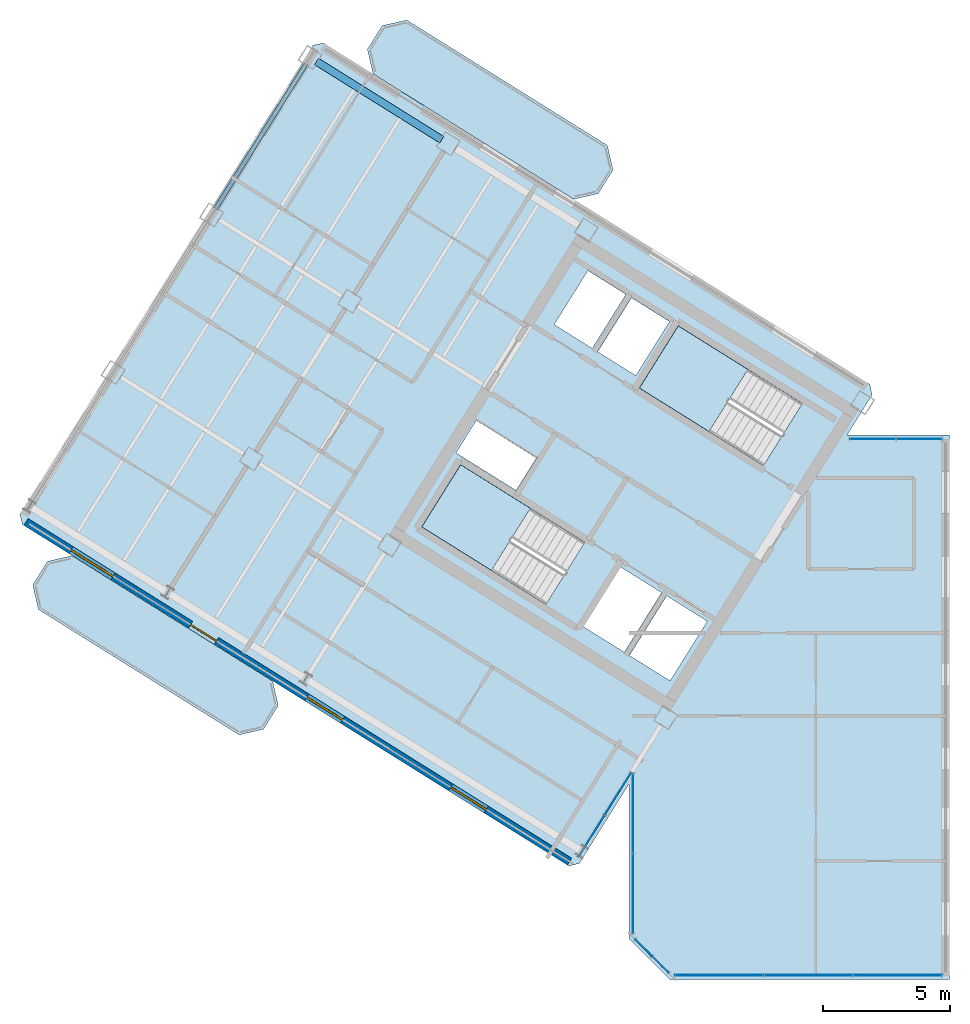
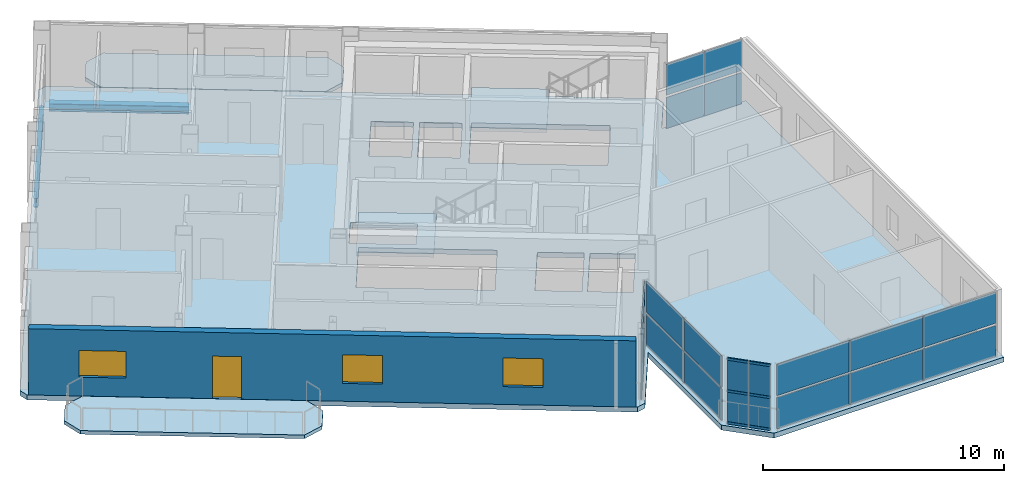
# One storey, part 6 of 13: 22 plates, 6 members, 5 slabs, 3 windows, 2 beams, 1 door, 1 wall, 4 openings, 7 elements without a shape of their own.
"""IFC4 building model written with IfcOpenShell, lengths in metres."""

from ifc_helpers import new_model, si_unit, direction, frame, frame_2d, origin, origin_2d, place, context, subcontext, project, spatial, polyline, rectangle, hollow_rectangle, i_section, outline, extrude, source, transform, mapped, material, layer, layer_set, material_profile, profile_set, type_object, element, fill, aggregate, save


model = new_model("IFC4")

# Units and contexts
model_context = context("Model", 3, precision=1e-05, world=origin(), true_north=direction((0.0, 1.0)))
body_context = subcontext(model_context, "Body", "Model", "MODEL_VIEW")
ifc_project = project(units=[si_unit("LENGTHUNIT", "METRE"), si_unit("AREAUNIT", "SQUARE_METRE"), si_unit("VOLUMEUNIT", "CUBIC_METRE"), si_unit("PLANEANGLEUNIT", "RADIAN"), si_unit("MASSUNIT", "GRAM", prefix="KILO")], contexts=[model_context])

# Site, building, storey
site_placement = place(None, origin())
site = spatial("IfcSite", under=ifc_project, at=site_placement, CompositionType="ELEMENT")
building_placement = place(site_placement, origin())
building = spatial("IfcBuilding", under=site, at=building_placement, Name="Tlacorven Tower", CompositionType="ELEMENT")
storey_placement = place(building_placement, frame((0.0, 0.0, 291.60009765625)))
storey = spatial("IfcBuildingStorey", under=building, at=storey_placement, Name="L74", CompositionType="ELEMENT", Elevation=291.60009765625)

# Beams
ifc_material_1 = material(Name="Steel S355J2", Category="steel")
ifc_material_profile_1 = material_profile(ifc_material_1, i_section(OverallWidth=0.300048828125, OverallDepth=0.389892578125, WebThickness=0.010986328125, FlangeThickness=0.01904296875, at=origin_2d()), Name="HEA 400")
ifc_profile_set_1 = profile_set([ifc_material_profile_1], Name="Steel S355J2")
beam_type_1 = type_object("IfcBeamType", Name="BM-SPN-400", PredefinedType="SPANDREL", material=ifc_profile_set_1)
shared_shape_1 = source(origin(), body_context, "Body", "SweptSolid", [
    extrude(i_section(OverallWidth=0.300048828125, OverallDepth=0.389892578125, WebThickness=0.010986328125, FlangeThickness=0.01904296875, at=origin_2d()), origin(), (0.0, 0.0, 1.0), 5.800048828125),
])
beam_1_placement = place(storey_placement, frame((24.24609375, 34.8017578125, -0.445068359375), z_axis=(-0.848052689693, 0.529911912967, 0.0), x_axis=(-0.529911912967, -0.848052689693, 0.0)))
element("IfcBeam", 1, at=beam_1_placement, inside=storey, type_object=beam_type_1, Name="L74 beam BM-L74-WL1-4", PredefinedType="SPANDREL", context=body_context, shape_type="MappedRepresentation", body=[
    mapped(shared_shape_1, transform((0.0, 0.0, 0.0), scale=1.0)),
])
ifc_material_profile_2 = material_profile(ifc_material_1, i_section(OverallWidth=0.18994140625, OverallDepth=0.449951171875, WebThickness=0.009521484375, FlangeThickness=0.0146484375, at=origin_2d()), Name="IPE 450")
ifc_profile_set_2 = profile_set([ifc_material_profile_2], Name="Steel S355J2")
beam_type_2 = type_object("IfcBeamType", Name="BM-TWR-450", PredefinedType="BEAM", material=ifc_profile_set_2)
shared_shape_2 = source(origin(), body_context, "Body", "SweptSolid", [
    extrude(i_section(OverallWidth=0.18994140625, OverallDepth=0.449951171875, WebThickness=0.009521484375, FlangeThickness=0.0146484375, at=origin_2d()), origin(), (0.0, 0.0, 1.0), 6.7001953125),
])
beam_2_placement = place(storey_placement, frame((18.9140625, 37.780029296875, -0.47509765625), z_axis=(-0.52991377951, -0.848051523367, 0.0), x_axis=(0.848051523367, -0.52991377951, 0.0)))
element("IfcBeam", 2, at=beam_2_placement, inside=storey, type_object=beam_type_2, Name="L74 beam BM-L74-WT5-1", PredefinedType="BEAM", context=body_context, shape_type="MappedRepresentation", body=[
    mapped(shared_shape_2, transform((0.0, 0.0, 0.0), scale=1.0)),
])

# Curtain wall, members
ifc_material_2 = material(Name="Dark solar low-E double glazing in aluminium frame", Category="aluminium")
curtain_wall_type = type_object("IfcCurtainWallType", Name="CW-TWR-HIGH", PredefinedType="USERDEFINED", material=ifc_material_2)
curtain_wall_1_placement = place(storey_placement, origin())
curtain_wall_1 = element("IfcCurtainWall", 3, at=curtain_wall_1_placement, inside=storey, type_object=curtain_wall_type, Name="L74 CW-TWR-HIGH Curtain Wall 345", ObjectType="UNITISED CURTAIN WALL", PredefinedType="USERDEFINED")
ifc_material_3 = material(Name="Aluminium 6063-T6 anodised", Category="aluminium")
ifc_material_profile_3 = material_profile(ifc_material_3, hollow_rectangle(XDim=0.054931640625, YDim=0.1201171875, WallThickness=0.00341796875, at=origin_2d()), Name="ALU TRANSOM 55X120")
ifc_profile_set_3 = profile_set([ifc_material_profile_3], Name="Aluminium 6063-T6 anodised")
member_type = type_object("IfcMemberType", Name="CWT-03", PredefinedType="USERDEFINED", material=ifc_profile_set_3)
shared_shape_3 = source(origin(), body_context, "Body", "SweptSolid", [
    extrude(hollow_rectangle(XDim=0.054931640625, YDim=0.1201171875, WallThickness=0.00341796875, at=origin_2d()), origin(), (0.0, 0.0, 1.0), 0.899169921875),
])
member_1_placement = place(storey_placement, frame((33.16162109375, 2.064697265625, 0.059814453125), z_axis=(-0.707106781187, 0.707106781187, 0.0), x_axis=(-0.707106781187, -0.707106781187, 0.0)))
member_1 = element("IfcMember", 4, at=member_1_placement, type_object=member_type, Name="CW-L74-345 Transom 1", ObjectType="TRANSOM", PredefinedType="USERDEFINED", context=body_context, shape_type="MappedRepresentation", body=[
    mapped(shared_shape_3, transform((0.0, 0.0, 0.0), scale=1.0)),
])
member_2_placement = place(storey_placement, frame((33.16162109375, 2.064697265625, 1.6748046875), z_axis=(-0.707106781187, 0.707106781187, 0.0), x_axis=(-0.707106781187, -0.707106781187, 0.0)))
member_2 = element("IfcMember", 5, at=member_2_placement, type_object=member_type, Name="CW-L74-345 Transom 2", ObjectType="TRANSOM", PredefinedType="USERDEFINED", context=body_context, shape_type="MappedRepresentation", body=[
    mapped(shared_shape_3, transform((0.0, 0.0, 0.0), scale=1.0)),
])
member_3_placement = place(storey_placement, frame((33.16162109375, 2.064697265625, 3.289794921875), z_axis=(-0.707106781187, 0.707106781187, 0.0), x_axis=(-0.707106781187, -0.707106781187, 0.0)))
member_3 = element("IfcMember", 6, at=member_3_placement, type_object=member_type, Name="CW-L74-345 Transom 3", ObjectType="TRANSOM", PredefinedType="USERDEFINED", context=body_context, shape_type="MappedRepresentation", body=[
    mapped(shared_shape_3, transform((0.0, 0.0, 0.0), scale=1.0)),
])
member_4_placement = place(storey_placement, frame((32.50048828125, 2.725830078125, 0.059814453125), z_axis=(-0.707106781187, 0.707106781187, 0.0), x_axis=(-0.707106781187, -0.707106781187, 0.0)))
member_4 = element("IfcMember", 7, at=member_4_placement, type_object=member_type, Name="CW-L74-345 Transom 4", ObjectType="TRANSOM", PredefinedType="USERDEFINED", context=body_context, shape_type="MappedRepresentation", body=[
    mapped(shared_shape_3, transform((0.0, 0.0, 0.0), scale=1.0)),
])
member_5_placement = place(storey_placement, frame((32.50048828125, 2.725830078125, 1.6748046875), z_axis=(-0.707106781187, 0.707106781187, 0.0), x_axis=(-0.707106781187, -0.707106781187, 0.0)))
member_5 = element("IfcMember", 8, at=member_5_placement, type_object=member_type, Name="CW-L74-345 Transom 5", ObjectType="TRANSOM", PredefinedType="USERDEFINED", context=body_context, shape_type="MappedRepresentation", body=[
    mapped(shared_shape_3, transform((0.0, 0.0, 0.0), scale=1.0)),
])
member_6_placement = place(storey_placement, frame((32.50048828125, 2.725830078125, 3.289794921875), z_axis=(-0.707106781187, 0.707106781187, 0.0), x_axis=(-0.707106781187, -0.707106781187, 0.0)))
member_6 = element("IfcMember", 9, at=member_6_placement, type_object=member_type, Name="CW-L74-345 Transom 6", ObjectType="TRANSOM", PredefinedType="USERDEFINED", context=body_context, shape_type="MappedRepresentation", body=[
    mapped(shared_shape_3, transform((0.0, 0.0, 0.0), scale=1.0)),
])

# Slabs
ifc_material_4 = material(Name="Precast concrete C45/55", Category="concrete")
ifc_layer_1 = layer(ifc_material_4, 0.179931640625)
ifc_layer_set_1 = layer_set([ifc_layer_1], Name="Precast concrete C45/55")
slab_type_1 = type_object("IfcSlabType", Name="SL-BAL-180", PredefinedType="USERDEFINED", material=ifc_layer_set_1)
slab_1_placement = place(storey_placement, frame((0.0, 0.0, -0.18017578125)))
element("IfcSlab", 10, at=slab_1_placement, inside=storey, type_object=slab_type_1, Name="L74 West Wing Balcony Ribbon OUT", ObjectType="BALCONY SLAB", PredefinedType="USERDEFINED", context=body_context, shape_type="SweptSolid", body=[
    extrude(outline(polyline([(17.601318359375, 13.52490234375), (9.71435546875, 18.453125), (8.749755859375, 18.23046875), (8.169677734375, 17.3017578125), (8.392333984375, 16.33740234375), (16.279052734375, 11.408935546875), (17.24365234375, 11.6318359375), (17.823974609375, 12.560302734375), (17.601318359375, 13.52490234375)])), origin(), (0.0, 0.0, 1.0), 0.18017578125),
])
slab_2_placement = place(storey_placement, frame((0.0, 0.0, -0.18017578125)))
element("IfcSlab", 11, at=slab_2_placement, inside=storey, type_object=slab_type_1, Name="L74 West Wing Balcony Ribbon IN", ObjectType="BALCONY SLAB", PredefinedType="USERDEFINED", context=body_context, shape_type="SweptSolid", body=[
    extrude(outline(polyline([(30.756591796875, 34.57763671875), (22.86962890625, 39.505859375), (21.905029296875, 39.283203125), (21.324951171875, 38.354736328125), (21.547607421875, 37.39013671875), (29.434326171875, 32.4619140625), (30.39892578125, 32.6845703125), (30.979248046875, 33.613037109375), (30.756591796875, 34.57763671875)])), origin(), (0.0, 0.0, 1.0), 0.18017578125),
])

# Stair, slab
ifc_material_5 = material(Name="Concrete C40/50", Category="concrete")
stair_type = type_object("IfcStairType", Name="ST-CORE-DLG", PredefinedType="HALF_TURN_STAIR", material=ifc_material_5)
stair_1_placement = place(storey_placement, origin())
stair_1 = element("IfcStair", 12, at=stair_1_placement, inside=storey, type_object=stair_type, Name="L74 Protected Exit Stair West 1", PredefinedType="HALF_TURN_STAIR")
ifc_layer_2 = layer(ifc_material_5, 0.199951171875)
ifc_layer_set_2 = layer_set([ifc_layer_2], Name="Concrete C40/50")
slab_type_2 = type_object("IfcSlabType", Name="SL-LND-200", PredefinedType="LANDING", material=ifc_layer_set_2)
slab_3_placement = place(storey_placement, frame((0.0, 0.0, 1.599853515625)))
slab_3 = element("IfcSlab", 13, at=slab_3_placement, type_object=slab_type_2, Name="ST-W1 landing 1", PredefinedType="LANDING", context=body_context, shape_type="SweptSolid", body=[
    extrude(outline(polyline([(27.728515625, 20.315185546875), (24.9892578125, 22.02685546875), (23.463134765625, 19.58447265625), (26.2021484375, 17.872802734375), (27.728515625, 20.315185546875)])), origin(), (0.0, 0.0, 1.0), 0.199951171875),
])
aggregate(stair_1, [slab_3])

stair_2_placement = place(storey_placement, origin())
stair_2 = element("IfcStair", 14, at=stair_2_placement, inside=storey, type_object=stair_type, Name="L74 Protected Exit Stair West 2", PredefinedType="HALF_TURN_STAIR")
slab_4_placement = place(storey_placement, frame((0.0, 0.0, 1.599853515625)))
slab_4 = element("IfcSlab", 15, at=slab_4_placement, type_object=slab_type_2, Name="ST-W2 landing 1", PredefinedType="LANDING", context=body_context, shape_type="SweptSolid", body=[
    extrude(outline(polyline([(36.280029296875, 25.772705078125), (33.540771484375, 27.484375), (32.0146484375, 25.0419921875), (34.75390625, 23.33056640625), (36.280029296875, 25.772705078125)])), origin(), (0.0, 0.0, 1.0), 0.199951171875),
])
aggregate(stair_2, [slab_4])

# Slab
ifc_layer_3 = layer(ifc_material_5, 0.25)
ifc_layer_set_3 = layer_set([ifc_layer_3], Name="Concrete C40/50")
slab_type_3 = type_object("IfcSlabType", Name="SL-TWR-250", PredefinedType="FLOOR", material=ifc_layer_set_3)
slab_5_placement = place(storey_placement, frame((0.0, 0.0, -0.25)))
element("IfcSlab", 16, at=slab_5_placement, inside=storey, type_object=slab_type_3, Name="L74 Boomerang Tower Floor Slab", PredefinedType="FLOOR", context=body_context, shape_type="SweptSolid", body=[
    extrude(outline(polyline([(44.199951171875, 23.199951171875), (44.199951171875, 1.800048828125), (33.199951171875, 1.800048828125), (31.60009765625, 3.39990234375), (31.60009765625, 9.470703125), (29.652587890625, 6.35400390625), (29.2392578125, 6.258544921875), (7.7666015625, 19.67626953125), (7.671142578125, 20.089599609375), (19.180908203125, 38.50927734375), (19.594482421875, 38.604736328125), (41.06689453125, 25.18701171875), (41.162353515625, 24.773681640625), (40.178955078125, 23.199951171875), (44.199951171875, 23.199951171875)]), holes=[polyline([(29.865478515625, 18.979736328125), (24.9892578125, 22.02685546875), (23.463134765625, 19.58447265625), (28.33935546875, 16.537353515625), (29.865478515625, 18.979736328125)]), polyline([(38.4169921875, 24.4375), (33.540771484375, 27.484375), (32.0146484375, 25.0419921875), (36.890869140625, 21.9951171875), (38.4169921875, 24.4375)]), polyline([(34.682373046875, 15.87548828125), (33.088134765625, 16.871826171875), (31.62548828125, 14.531005859375), (33.2197265625, 13.534912109375), (34.682373046875, 15.87548828125)]), polyline([(32.884521484375, 16.9990234375), (31.2392578125, 18.02685546875), (29.77685546875, 15.686279296875), (31.421875, 14.658203125), (32.884521484375, 16.9990234375)]), polyline([(33.197265625, 27.65185546875), (31.704833984375, 28.58447265625), (30.3798828125, 26.46435546875), (31.87255859375, 25.53173828125), (33.197265625, 27.65185546875)]), polyline([(31.484375, 28.722412109375), (29.99169921875, 29.655029296875), (28.6669921875, 27.534912109375), (30.159423828125, 26.602294921875), (31.484375, 28.722412109375)]), polyline([(27.96142578125, 22.2919921875), (25.603759765625, 23.76513671875), (24.80908203125, 22.4931640625), (27.16650390625, 21.02001953125), (27.96142578125, 22.2919921875)])]), origin(), (0.0, 0.0, 1.0), 0.25),
])

# Plate
ifc_material_6 = material(Name="High-wind dark solar tempered low-E glazing", Category="glass")
ifc_layer_4 = layer(ifc_material_6, 0.028076171875)
ifc_layer_set_4 = layer_set([ifc_layer_4], Name="High-wind dark solar tempered low-E glazing")
plate_type = type_object("IfcPlateType", Name="CWP-03", PredefinedType="CURTAIN_PANEL", material=ifc_layer_set_4)
shared_shape_4 = source(origin(), body_context, "Body", "SweptSolid", [
    extrude(rectangle(XDim=0.89306640625, YDim=0.028076171875, at=origin_2d()), origin(), (0.0, 0.0, 1.0), 1.572998046875),
])
plate_1_placement = place(storey_placement, frame((32.84375, 2.382568359375, 0.05078125), z_axis=(0.0, 0.0, 1.0), x_axis=(-0.707106781187, 0.707106781187, 0.0)))
plate_1 = element("IfcPlate", 17, at=plate_1_placement, type_object=plate_type, Name="CW-L74-345 Glazing Panel 1", PredefinedType="CURTAIN_PANEL", context=body_context, shape_type="MappedRepresentation", body=[
    mapped(shared_shape_4, transform((0.0, 0.0, 0.0), scale=1.0)),
])

plate_2_placement = place(storey_placement, frame((32.84375, 2.382568359375, 1.72607421875), z_axis=(0.0, 0.0, 1.0), x_axis=(-0.707106781187, 0.707106781187, 0.0)))
plate_2 = element("IfcPlate", 18, at=plate_2_placement, type_object=plate_type, Name="CW-L74-345 Glazing Panel 2", PredefinedType="CURTAIN_PANEL", context=body_context, shape_type="MappedRepresentation", body=[
    mapped(shared_shape_4, transform((0.0, 0.0, 0.0), scale=1.0)),
])

plate_3_placement = place(storey_placement, frame((32.1826171875, 3.043701171875, 0.05078125), z_axis=(0.0, 0.0, 1.0), x_axis=(-0.707106781187, 0.707106781187, 0.0)))
plate_3 = element("IfcPlate", 19, at=plate_3_placement, type_object=plate_type, Name="CW-L74-345 Glazing Panel 3", PredefinedType="CURTAIN_PANEL", context=body_context, shape_type="MappedRepresentation", body=[
    mapped(shared_shape_4, transform((0.0, 0.0, 0.0), scale=1.0)),
])

plate_4_placement = place(storey_placement, frame((32.1826171875, 3.043701171875, 1.72607421875), z_axis=(0.0, 0.0, 1.0), x_axis=(-0.707106781187, 0.707106781187, 0.0)))
plate_4 = element("IfcPlate", 20, at=plate_4_placement, type_object=plate_type, Name="CW-L74-345 Glazing Panel 4", PredefinedType="CURTAIN_PANEL", context=body_context, shape_type="MappedRepresentation", body=[
    mapped(shared_shape_4, transform((0.0, 0.0, 0.0), scale=1.0)),
])

aggregate(curtain_wall_1, [member_1, member_2, member_3, plate_1, plate_2, member_4, member_5, member_6, plate_3, plate_4])

# Curtain wall, plates
curtain_wall_2_placement = place(storey_placement, origin())
curtain_wall_2 = element("IfcCurtainWall", 21, at=curtain_wall_2_placement, inside=storey, type_object=curtain_wall_type, Name="L74 CW-TWR-HIGH Curtain Wall 346", ObjectType="UNITISED CURTAIN WALL", PredefinedType="USERDEFINED")
shared_shape_5 = source(origin(), body_context, "Body", "SweptSolid", [
    extrude(rectangle(XDim=3.109130859375, YDim=0.028076171875, at=origin_2d()), origin(), (0.0, 0.0, 1.0), 1.572998046875),
])
plate_5_placement = place(storey_placement, frame((31.760009765625, 5.171875, 0.05078125), z_axis=(0.0, 0.0, 1.0), x_axis=(0.0, 1.0, 0.0)))
plate_5 = element("IfcPlate", 22, at=plate_5_placement, type_object=plate_type, Name="CW-L74-346 Glazing Panel 1", PredefinedType="CURTAIN_PANEL", context=body_context, shape_type="MappedRepresentation", body=[
    mapped(shared_shape_5, transform((0.0, 0.0, 0.0), scale=1.0)),
])
plate_6_placement = place(storey_placement, frame((31.760009765625, 5.171875, 1.72607421875), z_axis=(0.0, 0.0, 1.0), x_axis=(0.0, 1.0, 0.0)))
plate_6 = element("IfcPlate", 23, at=plate_6_placement, type_object=plate_type, Name="CW-L74-346 Glazing Panel 2", PredefinedType="CURTAIN_PANEL", context=body_context, shape_type="MappedRepresentation", body=[
    mapped(shared_shape_5, transform((0.0, 0.0, 0.0), scale=1.0)),
])
plate_7_placement = place(storey_placement, frame((31.760009765625, 8.322998046875, 0.05078125), z_axis=(0.0, 0.0, 1.0), x_axis=(0.0, 1.0, 0.0)))
plate_7 = element("IfcPlate", 24, at=plate_7_placement, type_object=plate_type, Name="CW-L74-346 Glazing Panel 3", PredefinedType="CURTAIN_PANEL", context=body_context, shape_type="MappedRepresentation", body=[
    mapped(shared_shape_5, transform((0.0, 0.0, 0.0), scale=1.0)),
])
plate_8_placement = place(storey_placement, frame((31.760009765625, 8.322998046875, 1.72607421875), z_axis=(0.0, 0.0, 1.0), x_axis=(0.0, 1.0, 0.0)))
plate_8 = element("IfcPlate", 25, at=plate_8_placement, type_object=plate_type, Name="CW-L74-346 Glazing Panel 4", PredefinedType="CURTAIN_PANEL", context=body_context, shape_type="MappedRepresentation", body=[
    mapped(shared_shape_5, transform((0.0, 0.0, 0.0), scale=1.0)),
])
aggregate(curtain_wall_2, [plate_5, plate_6, plate_7, plate_8])

curtain_wall_3_placement = place(storey_placement, origin())
curtain_wall_3 = element("IfcCurtainWall", 26, at=curtain_wall_3_placement, inside=storey, type_object=curtain_wall_type, Name="L74 CW-TWR-HIGH Curtain Wall 347", ObjectType="UNITISED CURTAIN WALL", PredefinedType="USERDEFINED")
shared_shape_6 = source(origin(), body_context, "Body", "SweptSolid", [
    extrude(rectangle(XDim=1.911376953125, YDim=0.028076171875, at=origin_2d()), origin(), (0.0, 0.0, 1.0), 1.572998046875),
])
plate_9_placement = place(storey_placement, frame((31.173583984375, 9.090087890625, 0.05078125), z_axis=(0.0, 0.0, 1.0), x_axis=(-0.529918710919, -0.848048441905, 0.0)))
plate_9 = element("IfcPlate", 27, at=plate_9_placement, type_object=plate_type, Name="CW-L74-347 Glazing Panel 1", PredefinedType="CURTAIN_PANEL", context=body_context, shape_type="MappedRepresentation", body=[
    mapped(shared_shape_6, transform((0.0, 0.0, 0.0), scale=1.0)),
])
plate_10_placement = place(storey_placement, frame((31.173583984375, 9.090087890625, 1.72607421875), z_axis=(0.0, 0.0, 1.0), x_axis=(-0.529918710919, -0.848048441905, 0.0)))
plate_10 = element("IfcPlate", 28, at=plate_10_placement, type_object=plate_type, Name="CW-L74-347 Glazing Panel 2", PredefinedType="CURTAIN_PANEL", context=body_context, shape_type="MappedRepresentation", body=[
    mapped(shared_shape_6, transform((0.0, 0.0, 0.0), scale=1.0)),
])
plate_11_placement = place(storey_placement, frame((30.138427734375, 7.43359375, 0.05078125), z_axis=(0.0, 0.0, 1.0), x_axis=(-0.529918710919, -0.848048441905, 0.0)))
plate_11 = element("IfcPlate", 29, at=plate_11_placement, type_object=plate_type, Name="CW-L74-347 Glazing Panel 3", PredefinedType="CURTAIN_PANEL", context=body_context, shape_type="MappedRepresentation", body=[
    mapped(shared_shape_6, transform((0.0, 0.0, 0.0), scale=1.0)),
])
plate_12_placement = place(storey_placement, frame((30.138427734375, 7.43359375, 1.72607421875), z_axis=(0.0, 0.0, 1.0), x_axis=(-0.529918710919, -0.848048441905, 0.0)))
plate_12 = element("IfcPlate", 30, at=plate_12_placement, type_object=plate_type, Name="CW-L74-347 Glazing Panel 4", PredefinedType="CURTAIN_PANEL", context=body_context, shape_type="MappedRepresentation", body=[
    mapped(shared_shape_6, transform((0.0, 0.0, 0.0), scale=1.0)),
])
aggregate(curtain_wall_3, [plate_9, plate_10, plate_11, plate_12])

curtain_wall_4_placement = place(storey_placement, origin())
curtain_wall_4 = element("IfcCurtainWall", 31, at=curtain_wall_4_placement, inside=storey, type_object=curtain_wall_type, Name="L74 CW-TWR-HIGH Curtain Wall 348", ObjectType="UNITISED CURTAIN WALL", PredefinedType="USERDEFINED")
shared_shape_7 = source(origin(), body_context, "Body", "SweptSolid", [
    extrude(rectangle(XDim=1.776123046875, YDim=0.028076171875, at=origin_2d()), origin(), (0.0, 0.0, 1.0), 1.572998046875),
])
plate_13_placement = place(storey_placement, frame((41.182861328125, 23.0400390625, 0.05078125), z_axis=(0.0, 0.0, 1.0), x_axis=(1.0, 0.0, 0.0)))
plate_13 = element("IfcPlate", 32, at=plate_13_placement, type_object=plate_type, Name="CW-L74-348 Glazing Panel 1", PredefinedType="CURTAIN_PANEL", context=body_context, shape_type="MappedRepresentation", body=[
    mapped(shared_shape_7, transform((0.0, 0.0, 0.0), scale=1.0)),
])
plate_14_placement = place(storey_placement, frame((41.182861328125, 23.0400390625, 1.72607421875), z_axis=(0.0, 0.0, 1.0), x_axis=(1.0, 0.0, 0.0)))
plate_14 = element("IfcPlate", 33, at=plate_14_placement, type_object=plate_type, Name="CW-L74-348 Glazing Panel 2", PredefinedType="CURTAIN_PANEL", context=body_context, shape_type="MappedRepresentation", body=[
    mapped(shared_shape_7, transform((0.0, 0.0, 0.0), scale=1.0)),
])
plate_15_placement = place(storey_placement, frame((43.0009765625, 23.0400390625, 0.05078125), z_axis=(0.0, 0.0, 1.0), x_axis=(1.0, 0.0, 0.0)))
plate_15 = element("IfcPlate", 34, at=plate_15_placement, type_object=plate_type, Name="CW-L74-348 Glazing Panel 3", PredefinedType="CURTAIN_PANEL", context=body_context, shape_type="MappedRepresentation", body=[
    mapped(shared_shape_7, transform((0.0, 0.0, 0.0), scale=1.0)),
])
plate_16_placement = place(storey_placement, frame((43.0009765625, 23.0400390625, 1.72607421875), z_axis=(0.0, 0.0, 1.0), x_axis=(1.0, 0.0, 0.0)))
plate_16 = element("IfcPlate", 35, at=plate_16_placement, type_object=plate_type, Name="CW-L74-348 Glazing Panel 4", PredefinedType="CURTAIN_PANEL", context=body_context, shape_type="MappedRepresentation", body=[
    mapped(shared_shape_7, transform((0.0, 0.0, 0.0), scale=1.0)),
])
aggregate(curtain_wall_4, [plate_13, plate_14, plate_15, plate_16])

curtain_wall_5_placement = place(storey_placement, origin())
curtain_wall_5 = element("IfcCurtainWall", 36, at=curtain_wall_5_placement, inside=storey, type_object=curtain_wall_type, Name="L74 CW-TWR-HIGH Curtain Wall 344", ObjectType="UNITISED CURTAIN WALL", PredefinedType="USERDEFINED")
shared_shape_8 = source(origin(), body_context, "Body", "SweptSolid", [
    extrude(rectangle(XDim=3.45263671875, YDim=0.028076171875, at=origin_2d()), origin(), (0.0, 0.0, 1.0), 1.572998046875),
])
plate_17_placement = place(storey_placement, frame((42.16259765625, 1.9599609375, 0.05078125), z_axis=(0.0, 0.0, 1.0), x_axis=(-1.0, 0.0, 0.0)))
plate_17 = element("IfcPlate", 37, at=plate_17_placement, type_object=plate_type, Name="CW-L74-344 Glazing Panel 1", PredefinedType="CURTAIN_PANEL", context=body_context, shape_type="MappedRepresentation", body=[
    mapped(shared_shape_8, transform((0.0, 0.0, 0.0), scale=1.0)),
])
plate_18_placement = place(storey_placement, frame((42.16259765625, 1.9599609375, 1.72607421875), z_axis=(0.0, 0.0, 1.0), x_axis=(-1.0, 0.0, 0.0)))
plate_18 = element("IfcPlate", 38, at=plate_18_placement, type_object=plate_type, Name="CW-L74-344 Glazing Panel 2", PredefinedType="CURTAIN_PANEL", context=body_context, shape_type="MappedRepresentation", body=[
    mapped(shared_shape_8, transform((0.0, 0.0, 0.0), scale=1.0)),
])
plate_19_placement = place(storey_placement, frame((35.1435546875, 1.9599609375, 0.05078125), z_axis=(0.0, 0.0, 1.0), x_axis=(-1.0, 0.0, 0.0)))
plate_19 = element("IfcPlate", 39, at=plate_19_placement, type_object=plate_type, Name="CW-L74-344 Glazing Panel 5", PredefinedType="CURTAIN_PANEL", context=body_context, shape_type="MappedRepresentation", body=[
    mapped(shared_shape_8, transform((0.0, 0.0, 0.0), scale=1.0)),
])
plate_20_placement = place(storey_placement, frame((35.1435546875, 1.9599609375, 1.72607421875), z_axis=(0.0, 0.0, 1.0), x_axis=(-1.0, 0.0, 0.0)))
plate_20 = element("IfcPlate", 40, at=plate_20_placement, type_object=plate_type, Name="CW-L74-344 Glazing Panel 6", PredefinedType="CURTAIN_PANEL", context=body_context, shape_type="MappedRepresentation", body=[
    mapped(shared_shape_8, transform((0.0, 0.0, 0.0), scale=1.0)),
])
shared_shape_9 = source(origin(), body_context, "Body", "SweptSolid", [
    extrude(rectangle(XDim=3.482666015625, YDim=0.028076171875, at=origin_2d()), origin(), (0.0, 0.0, 1.0), 1.572998046875),
])
plate_21_placement = place(storey_placement, frame((38.653076171875, 1.9599609375, 0.05078125), z_axis=(0.0, 0.0, 1.0), x_axis=(-1.0, 0.0, 0.0)))
plate_21 = element("IfcPlate", 41, at=plate_21_placement, type_object=plate_type, Name="CW-L74-344 Glazing Panel 3", PredefinedType="CURTAIN_PANEL", context=body_context, shape_type="MappedRepresentation", body=[
    mapped(shared_shape_9, transform((0.0, 0.0, 0.0), scale=1.0)),
])
plate_22_placement = place(storey_placement, frame((38.653076171875, 1.9599609375, 1.72607421875), z_axis=(0.0, 0.0, 1.0), x_axis=(-1.0, 0.0, 0.0)))
plate_22 = element("IfcPlate", 42, at=plate_22_placement, type_object=plate_type, Name="CW-L74-344 Glazing Panel 4", PredefinedType="CURTAIN_PANEL", context=body_context, shape_type="MappedRepresentation", body=[
    mapped(shared_shape_9, transform((0.0, 0.0, 0.0), scale=1.0)),
])
aggregate(curtain_wall_5, [plate_17, plate_18, plate_21, plate_22, plate_19, plate_20])

# Wall, openings, door, windows
ifc_layer_5 = layer(ifc_material_4, 0.320068359375)
ifc_layer_set_5 = layer_set([ifc_layer_5], Name="Precast concrete C45/55")
wall_type = type_object("IfcWallType", Name="WL-EXT-320", PredefinedType="STANDARD", material=ifc_layer_set_5)
wall_placement = place(storey_placement, frame((29.267822265625, 6.429443359375, 0.0), z_axis=(0.0, 0.0, 1.0), x_axis=(-0.848048398186, 0.529918780885, 0.0)))
wall = element("IfcWall", 43, at=wall_placement, inside=storey, type_object=wall_type, Name="L74 Masonry-Frame Recessed Facade Wall 2", PredefinedType="STANDARD", context=body_context, shape_type="SweptSolid", body=[
    extrude(rectangle(XDim=25.187744140625, YDim=0.320068359375, at=frame_2d((12.59375, 0.0))), origin(), (0.0, 0.0, 1.0), 3.349853515625),
])
opening_1_placement = place(wall_placement, frame((16.36181640625, 0.0, 0.0)))
opening_1 = element("IfcOpeningElement", 44, at=opening_1_placement, cuts=wall, Name="Opening D05", PredefinedType="OPENING", context=body_context, shape_type="SweptSolid", body=[
    extrude(rectangle(XDim=1.199951171875, YDim=2.14990234375, at=frame_2d((0.60009765625, 1.074951171875))), frame((0.0, 0.169921875, 0.0), z_axis=(0.0, -1.0, 0.0), x_axis=(1.0, 0.0, 0.0)), (0.0, 0.0, 1.0), 0.340087890625),
])
opening_2_placement = place(wall_placement, frame((3.858642578125, 0.0, 0.89990234375)))
opening_2 = element("IfcOpeningElement", 45, at=opening_2_placement, cuts=wall, Name="Opening WN07", PredefinedType="OPENING", context=body_context, shape_type="SweptSolid", body=[
    extrude(rectangle(XDim=1.64990234375, YDim=1.449951171875, at=frame_2d((0.824951171875, 0.72509765625))), frame((0.0, 0.169921875, 0.0), z_axis=(0.0, -1.0, 0.0), x_axis=(1.0, 0.0, 0.0)), (0.0, 0.0, 1.0), 0.340087890625),
])
opening_3_placement = place(wall_placement, frame((10.518798828125, 0.0, 0.89990234375)))
opening_3 = element("IfcOpeningElement", 46, at=opening_3_placement, cuts=wall, Name="Opening WN07", PredefinedType="OPENING", context=body_context, shape_type="SweptSolid", body=[
    extrude(rectangle(XDim=1.64990234375, YDim=1.449951171875, at=frame_2d((0.824951171875, 0.72509765625))), frame((0.0, 0.169921875, 0.0), z_axis=(0.0, -1.0, 0.0), x_axis=(1.0, 0.0, 0.0)), (0.0, 0.0, 1.0), 0.340087890625),
])
opening_4_placement = place(wall_placement, frame((21.155517578125, 0.0, 0.949951171875)))
opening_4 = element("IfcOpeningElement", 47, at=opening_4_placement, cuts=wall, Name="Opening WN09", PredefinedType="OPENING", context=body_context, shape_type="SweptSolid", body=[
    extrude(rectangle(XDim=1.949951171875, YDim=1.35009765625, at=frame_2d((0.97509765625, 0.675048828125))), frame((0.0, 0.169921875, 0.0), z_axis=(0.0, -1.0, 0.0), x_axis=(1.0, 0.0, 0.0)), (0.0, 0.0, 1.0), 0.340087890625),
])
ifc_material_7 = material(Name="Powder-coated aluminium and timber door", Category="wood")
door_type = type_object("IfcDoorType", Name="DR-EXT-BALC-1200", OperationType="NOTDEFINED", PredefinedType="DOOR", material=ifc_material_7)
shared_shape_10 = source(origin(), body_context, "Body", "SweptSolid", [
    extrude(rectangle(XDim=1.199951171875, YDim=2.14990234375, at=frame_2d((0.60009765625, 1.074951171875))), frame((0.0, 0.02490234375, 0.0), z_axis=(0.0, -1.0, 0.0), x_axis=(1.0, 0.0, 0.0)), (0.0, 0.0, 1.0), 0.050048828125),
])
door_placement = place(opening_1_placement, origin())
door = element("IfcDoor", 48, at=door_placement, inside=storey, type_object=door_type, Name="L74 Outdoor Access Door BAL-L74-W-OUT", OperationType="SINGLE_SWING_LEFT", OverallHeight=2.14990234375, OverallWidth=1.199951171875, PredefinedType="DOOR", context=body_context, shape_type="MappedRepresentation", body=[
    mapped(shared_shape_10, transform((0.0, 0.0, 0.0), scale=1.0)),
])
fill(opening_1, door)
ifc_material_8 = material(Name="Dark solar low-E double glazing in anodised aluminium frame", Category="aluminium")
window_type_1 = type_object("IfcWindowType", Name="WN-APT-1650X1600", PartitioningType="SINGLE_PANEL", PredefinedType="WINDOW", material=ifc_material_8)
shared_shape_11 = source(origin(), body_context, "Body", "SweptSolid", [
    extrude(rectangle(XDim=1.64990234375, YDim=1.449951171875, at=frame_2d((0.824951171875, 0.72509765625))), frame((0.0, 0.030029296875, 0.0), z_axis=(0.0, -1.0, 0.0), x_axis=(1.0, 0.0, 0.0)), (0.0, 0.0, 1.0), 0.06005859375),
])
window_1_placement = place(opening_2_placement, origin())
window_1 = element("IfcWindow", 49, at=window_1_placement, inside=storey, type_object=window_type_1, Name="L74 Recessed Masonry-Frame Window L74-02.1", OverallHeight=1.449951171875, OverallWidth=1.64990234375, PartitioningType="SINGLE_PANEL", PredefinedType="WINDOW", context=body_context, shape_type="MappedRepresentation", body=[
    mapped(shared_shape_11, transform((0.0, 0.0, 0.0), scale=1.0)),
])
fill(opening_2, window_1)
window_2_placement = place(opening_3_placement, origin())
window_2 = element("IfcWindow", 50, at=window_2_placement, inside=storey, type_object=window_type_1, Name="L74 Recessed Masonry-Frame Window L74-02.2", OverallHeight=1.449951171875, OverallWidth=1.64990234375, PartitioningType="SINGLE_PANEL", PredefinedType="WINDOW", context=body_context, shape_type="MappedRepresentation", body=[
    mapped(shared_shape_11, transform((0.0, 0.0, 0.0), scale=1.0)),
])
fill(opening_3, window_2)
window_type_2 = type_object("IfcWindowType", Name="WN-GAL-1950X1450", PartitioningType="SINGLE_PANEL", PredefinedType="WINDOW", material=ifc_material_8)
shared_shape_12 = source(origin(), body_context, "Body", "SweptSolid", [
    extrude(rectangle(XDim=1.949951171875, YDim=1.35009765625, at=frame_2d((0.97509765625, 0.675048828125))), frame((0.0, 0.030029296875, 0.0), z_axis=(0.0, -1.0, 0.0), x_axis=(1.0, 0.0, 0.0)), (0.0, 0.0, 1.0), 0.06005859375),
])
window_3_placement = place(opening_4_placement, origin())
window_3 = element("IfcWindow", 51, at=window_3_placement, inside=storey, type_object=window_type_2, Name="L74 Recessed Masonry-Frame Window L74-02.3", OverallHeight=1.35009765625, OverallWidth=1.949951171875, PartitioningType="SINGLE_PANEL", PredefinedType="WINDOW", context=body_context, shape_type="MappedRepresentation", body=[
    mapped(shared_shape_12, transform((0.0, 0.0, 0.0), scale=1.0)),
])
fill(opening_4, window_3)

save(model, "model.ifc")
